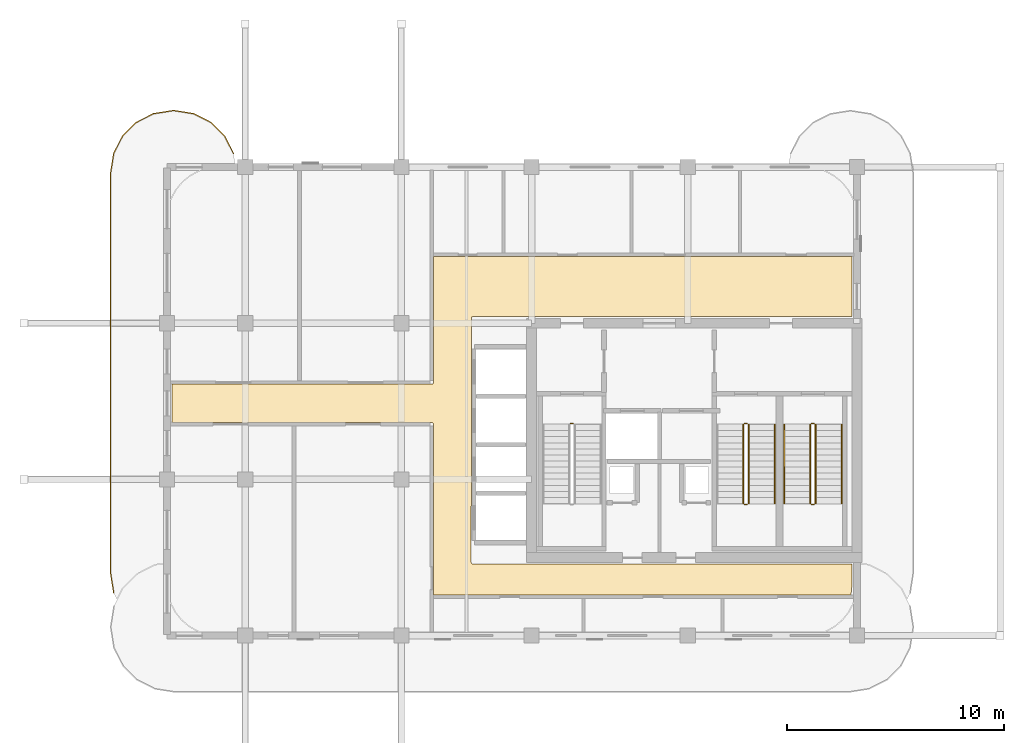
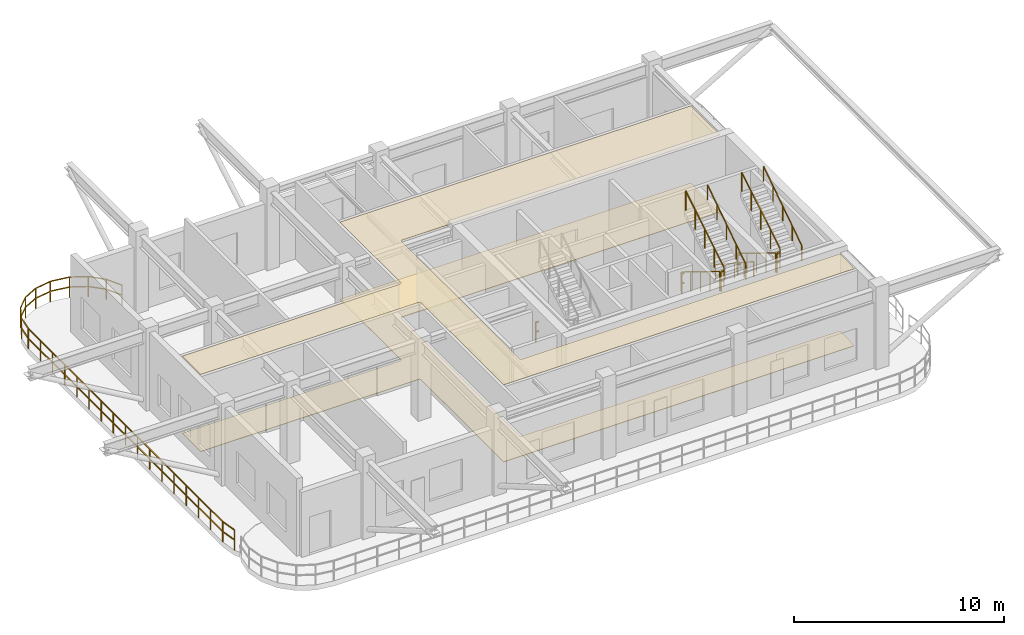
# One storey, part 7 of 8: 13 railings, 2 coverings.
"""IFC4 building model written with IfcOpenShell, lengths in metres."""

from ifc_helpers import new_model, si_unit, derived_unit, direction, frame, origin, origin_2d, place, context, subcontext, project, spatial, polyline, rectangle, outline, extrude, material, layer, layer_set, type_object, element, save


model = new_model("IFC4")

# Units and contexts
model_context = context("Model", 3, precision=1e-05, world=origin(), true_north=direction((0.0, 1.0)))
body_context = subcontext(model_context, "Body", "Model", "MODEL_VIEW")
ifc_project = project(units=[si_unit("LENGTHUNIT", "METRE"), si_unit("AREAUNIT", "SQUARE_METRE"), si_unit("VOLUMEUNIT", "CUBIC_METRE"), si_unit("PLANEANGLEUNIT", "RADIAN"), si_unit("MASSUNIT", "GRAM", prefix="KILO"), si_unit("THERMODYNAMICTEMPERATUREUNIT", "KELVIN"), si_unit("POWERUNIT", "WATT"), derived_unit("THERMALTRANSMITTANCEUNIT", [(si_unit("POWERUNIT", "WATT"), 1), (si_unit("AREAUNIT", "SQUARE_METRE"), -1), (si_unit("THERMODYNAMICTEMPERATUREUNIT", "KELVIN"), -1)])], contexts=[model_context])

# Site, building, storey
site_placement = place(None, origin())
site = spatial("IfcSite", under=ifc_project, at=site_placement, CompositionType="ELEMENT")
building_placement = place(site_placement, origin())
building = spatial("IfcBuilding", under=site, at=building_placement, Name="Zahravan Archway Hotel and Residences", CompositionType="ELEMENT")
storey_placement = place(building_placement, frame((0.0, 0.0, 294.300048828125)))
storey = spatial("IfcBuildingStorey", under=building, at=storey_placement, Name="L74", CompositionType="ELEMENT", Elevation=294.300048828125)

# Coverings
ifc_material_1 = material(Name="Perforated Acoustic Gypsum Ceiling")
ifc_layer_1 = layer(ifc_material_1, 0.02490234375, Name="Perforated Acoustic Gypsum Ceiling")
ifc_layer_set_1 = layer_set([ifc_layer_1], Name="Perforated Acoustic Gypsum Ceiling")
covering_type_1 = type_object("IfcCoveringType", Name="COV-CEIL-ACST", PredefinedType="CEILING", material=ifc_layer_set_1)
covering_1_placement = place(storey_placement, frame((0.0, 0.0, 4.474853515625)))
element("IfcCovering", 1, at=covering_1_placement, inside=storey, type_object=covering_type_1, Name="L74 Acoustic Corridor Ceiling", PredefinedType="CEILING", context=body_context, shape_type="SweptSolid", body=[
    extrude(outline(polyline([(30.215576171875, 11.591552734375), (30.256591796875, 11.61328125), (30.278564453125, 11.654296875), (30.280029296875, 17.469970703125), (49.580078125, 17.469970703125), (49.580078125, 14.705078125), (32.10009765625, 14.705078125), (32.0556640625, 14.69140625), (32.026123046875, 14.655517578125), (32.02001953125, 3.375), (32.033447265625, 3.33056640625), (32.0693359375, 3.301025390625), (49.580078125, 3.294921875), (49.580078125, 2.410888671875), (49.537109375, 1.974853515625), (49.50830078125, 1.8798828125), (30.280029296875, 1.8798828125), (30.280029296875, 9.75), (30.2666015625, 9.79443359375), (30.230712890625, 9.823974609375), (18.219970703125, 9.830078125), (18.219970703125, 11.590087890625), (30.199951171875, 11.590087890625), (30.215576171875, 11.591552734375)])), origin(), (0.0, 0.0, 1.0), 0.025146484375),
])
ifc_material_2 = material(Name="Honed Margalla Limestone & Mortar Bed", Category="masonry")
ifc_layer_2 = layer(ifc_material_2, 0.030029296875, Name="Honed Margalla Limestone & Mortar Bed", Category="masonry")
ifc_layer_set_2 = layer_set([ifc_layer_2], Name="Honed Margalla Limestone & Mortar Bed")
covering_type_2 = type_object("IfcCoveringType", Name="COV-FLR-STONE", PredefinedType="FLOORING", material=ifc_layer_set_2)
covering_2_placement = place(storey_placement, origin())
element("IfcCovering", 2, at=covering_2_placement, inside=storey, type_object=covering_type_2, Name="L74 Circulation Floor Finish", PredefinedType="FLOORING", context=body_context, shape_type="SweptSolid", body=[
    extrude(outline(polyline([(30.215576171875, 11.591552734375), (30.256591796875, 11.61328125), (30.278564453125, 11.654296875), (30.280029296875, 17.469970703125), (49.580078125, 17.469970703125), (49.580078125, 14.705078125), (32.10009765625, 14.705078125), (32.0556640625, 14.69140625), (32.026123046875, 14.655517578125), (32.02001953125, 3.375), (32.033447265625, 3.33056640625), (32.0693359375, 3.301025390625), (49.580078125, 3.294921875), (49.580078125, 2.410888671875), (49.537109375, 1.974853515625), (49.50830078125, 1.8798828125), (30.280029296875, 1.8798828125), (30.280029296875, 9.75), (30.2666015625, 9.79443359375), (30.230712890625, 9.823974609375), (18.219970703125, 9.830078125), (18.219970703125, 11.590087890625), (30.199951171875, 11.590087890625), (30.215576171875, 11.591552734375)])), origin(), (0.0, 0.0, 1.0), 0.030029296875),
])

# Railings
ifc_material_3 = material(Name="Bronze & Laminated Glass Balustrade", Category="glass")
railing_type_1 = type_object("IfcRailingType", Name="RL-BAL-1200", PredefinedType="BALUSTRADE", material=ifc_material_3)
railing_1_placement = place(storey_placement, frame((15.53955078125, 1.96923828125, 0.0)))
element("IfcRailing", 3, at=railing_1_placement, inside=storey, type_object=railing_type_1, Name="L74 Balustrade RL-SLB-BAL-L74-WA-1", PredefinedType="BALUSTRADE", context=body_context, shape_type="SweptSolid", body=[
    extrude(rectangle(XDim=0.048095703125, YDim=0.048095703125, at=origin_2d()), frame((0.0, 0.0, 1.17578125), z_axis=(-0.156581054338, 0.98766511198, 0.0), x_axis=(-0.98766511198, -0.156581054338, 0.0)), (0.0, 0.0, 1.0), 0.891845703125),
    extrude(rectangle(XDim=0.048095703125, YDim=0.048095703125, at=origin_2d()), frame((0.0, 0.0, 0.60009765625), z_axis=(-0.156581054338, 0.98766511198, 0.0), x_axis=(-0.98766511198, -0.156581054338, 0.0)), (0.0, 0.0, 1.0), 0.891845703125),
    extrude(rectangle(XDim=0.048095703125, YDim=0.048095703125, at=origin_2d()), frame((-0.1396484375, 0.880859375, 1.17578125), z_axis=(0.0, 1.0, 0.0), x_axis=(-1.0, 0.0, 0.0)), (0.0, 0.0, 1.0), 18.5),
    extrude(rectangle(XDim=0.048095703125, YDim=0.048095703125, at=origin_2d()), frame((-0.1396484375, 0.880859375, 0.60009765625), z_axis=(0.0, 1.0, 0.0), x_axis=(-1.0, 0.0, 0.0)), (0.0, 0.0, 1.0), 18.5),
    extrude(rectangle(XDim=0.048095703125, YDim=0.048095703125, at=origin_2d()), frame((-0.1396484375, 19.380859375, 1.17578125), z_axis=(0.156623399917, 0.987658397726, 0.0), x_axis=(-0.987658397726, 0.156623399917, 0.0)), (0.0, 0.0, 1.0), 0.8916015625),
    extrude(rectangle(XDim=0.048095703125, YDim=0.048095703125, at=origin_2d()), frame((-0.1396484375, 19.380859375, 0.60009765625), z_axis=(0.156623399917, 0.987658397726, 0.0), x_axis=(-0.987658397726, 0.156623399917, 0.0)), (0.0, 0.0, 1.0), 0.8916015625),
    extrude(rectangle(XDim=0.048095703125, YDim=0.048095703125, at=origin_2d()), frame((0.0, 20.261474609375, 1.17578125), z_axis=(0.453991409995, 0.891006060389, 0.0), x_axis=(-0.891006060389, 0.453991409995, 0.0)), (0.0, 0.0, 1.0), 0.8916015625),
    extrude(rectangle(XDim=0.048095703125, YDim=0.048095703125, at=origin_2d()), frame((0.0, 20.261474609375, 0.60009765625), z_axis=(0.453991409995, 0.891006060389, 0.0), x_axis=(-0.891006060389, 0.453991409995, 0.0)), (0.0, 0.0, 1.0), 0.8916015625),
    extrude(rectangle(XDim=0.048095703125, YDim=0.048095703125, at=origin_2d()), frame((0.40478515625, 21.055908203125, 1.17578125), z_axis=(0.706969864397, 0.70724367147, 0.0), x_axis=(-0.70724367147, 0.706969864397, 0.0)), (0.0, 0.0, 1.0), 0.8916015625),
    extrude(rectangle(XDim=0.048095703125, YDim=0.048095703125, at=origin_2d()), frame((0.40478515625, 21.055908203125, 0.60009765625), z_axis=(0.706969864397, 0.70724367147, 0.0), x_axis=(-0.70724367147, 0.706969864397, 0.0)), (0.0, 0.0, 1.0), 0.8916015625),
    extrude(rectangle(XDim=0.048095703125, YDim=0.048095703125, at=origin_2d()), frame((1.03515625, 21.6865234375, 1.17578125), z_axis=(0.891062476022, 0.45388067135, 0.0), x_axis=(-0.45388067135, 0.891062476022, 0.0)), (0.0, 0.0, 1.0), 0.891845703125),
    extrude(rectangle(XDim=0.048095703125, YDim=0.048095703125, at=origin_2d()), frame((1.03515625, 21.6865234375, 0.60009765625), z_axis=(0.891062476022, 0.45388067135, 0.0), x_axis=(-0.45388067135, 0.891062476022, 0.0)), (0.0, 0.0, 1.0), 0.891845703125),
    extrude(rectangle(XDim=0.048095703125, YDim=0.048095703125, at=origin_2d()), frame((1.829833984375, 22.09130859375, 1.17578125), z_axis=(0.987700720307, 0.156356282588, 0.0), x_axis=(-0.156356282588, 0.987700720307, 0.0)), (0.0, 0.0, 1.0), 0.8916015625),
    extrude(rectangle(XDim=0.048095703125, YDim=0.048095703125, at=origin_2d()), frame((1.829833984375, 22.09130859375, 0.60009765625), z_axis=(0.987700720307, 0.156356282588, 0.0), x_axis=(-0.156356282588, 0.987700720307, 0.0)), (0.0, 0.0, 1.0), 0.8916015625),
    extrude(rectangle(XDim=0.048095703125, YDim=0.048095703125, at=origin_2d()), frame((2.71044921875, 22.230712890625, 1.17578125), z_axis=(1.0, 0.0, 0.0), x_axis=(0.0, 1.0, 0.0)), (0.0, 0.0, 1.0), 0.10009765625),
    extrude(rectangle(XDim=0.048095703125, YDim=0.048095703125, at=origin_2d()), frame((2.71044921875, 22.230712890625, 0.60009765625), z_axis=(1.0, 0.0, 0.0), x_axis=(0.0, 1.0, 0.0)), (0.0, 0.0, 1.0), 0.10009765625),
    extrude(rectangle(XDim=0.048095703125, YDim=0.048095703125, at=origin_2d()), frame((2.810546875, 22.230712890625, 1.17578125), z_axis=(0.987700720307, -0.156356282588, 0.0), x_axis=(0.156356282588, 0.987700720307, 0.0)), (0.0, 0.0, 1.0), 0.8916015625),
    extrude(rectangle(XDim=0.048095703125, YDim=0.048095703125, at=origin_2d()), frame((2.810546875, 22.230712890625, 0.60009765625), z_axis=(0.987700720307, -0.156356282588, 0.0), x_axis=(0.156356282588, 0.987700720307, 0.0)), (0.0, 0.0, 1.0), 0.8916015625),
    extrude(rectangle(XDim=0.048095703125, YDim=0.048095703125, at=origin_2d()), frame((3.691162109375, 22.09130859375, 1.17578125), z_axis=(0.891006060389, -0.453991409995, 0.0), x_axis=(0.453991409995, 0.891006060389, 0.0)), (0.0, 0.0, 1.0), 0.8916015625),
    extrude(rectangle(XDim=0.048095703125, YDim=0.048095703125, at=origin_2d()), frame((3.691162109375, 22.09130859375, 0.60009765625), z_axis=(0.891006060389, -0.453991409995, 0.0), x_axis=(0.453991409995, 0.891006060389, 0.0)), (0.0, 0.0, 1.0), 0.8916015625),
    extrude(rectangle(XDim=0.048095703125, YDim=0.048095703125, at=origin_2d()), frame((4.485595703125, 21.6865234375, 1.17578125), z_axis=(0.707106781187, -0.707106781187, 0.0), x_axis=(0.707106781187, 0.707106781187, 0.0)), (0.0, 0.0, 1.0), 0.891845703125),
    extrude(rectangle(XDim=0.048095703125, YDim=0.048095703125, at=origin_2d()), frame((4.485595703125, 21.6865234375, 0.60009765625), z_axis=(0.707106781187, -0.707106781187, 0.0), x_axis=(0.707106781187, 0.707106781187, 0.0)), (0.0, 0.0, 1.0), 0.891845703125),
    extrude(rectangle(XDim=0.048095703125, YDim=0.048095703125, at=origin_2d()), frame((5.1162109375, 21.055908203125, 1.17578125), z_axis=(0.453991409995, -0.891006060389, 0.0), x_axis=(0.891006060389, 0.453991409995, 0.0)), (0.0, 0.0, 1.0), 0.8916015625),
    extrude(rectangle(XDim=0.048095703125, YDim=0.048095703125, at=origin_2d()), frame((5.1162109375, 21.055908203125, 0.60009765625), z_axis=(0.453991409995, -0.891006060389, 0.0), x_axis=(0.891006060389, 0.453991409995, 0.0)), (0.0, 0.0, 1.0), 0.8916015625),
    extrude(rectangle(XDim=0.0419921875, YDim=0.0419921875, at=origin_2d()), origin(), (0.0, 0.0, 1.0), 1.15185546875),
    extrude(rectangle(XDim=0.0419921875, YDim=0.0419921875, at=origin_2d()), frame((-0.1396484375, 0.880859375, 0.0)), (0.0, 0.0, 1.0), 1.15185546875),
    extrude(rectangle(XDim=0.0419921875, YDim=0.0419921875, at=origin_2d()), frame((-0.1396484375, 2.037109375, 0.0)), (0.0, 0.0, 1.0), 1.15185546875),
    extrude(rectangle(XDim=0.0419921875, YDim=0.0419921875, at=origin_2d()), frame((-0.1396484375, 3.193359375, 0.0)), (0.0, 0.0, 1.0), 1.15185546875),
    extrude(rectangle(XDim=0.0419921875, YDim=0.0419921875, at=origin_2d()), frame((-0.1396484375, 4.349609375, 0.0)), (0.0, 0.0, 1.0), 1.15185546875),
    extrude(rectangle(XDim=0.0419921875, YDim=0.0419921875, at=origin_2d()), frame((-0.1396484375, 5.505859375, 0.0)), (0.0, 0.0, 1.0), 1.15185546875),
    extrude(rectangle(XDim=0.0419921875, YDim=0.0419921875, at=origin_2d()), frame((-0.1396484375, 6.662109375, 0.0)), (0.0, 0.0, 1.0), 1.15185546875),
    extrude(rectangle(XDim=0.0419921875, YDim=0.0419921875, at=origin_2d()), frame((-0.1396484375, 7.818359375, 0.0)), (0.0, 0.0, 1.0), 1.15185546875),
    extrude(rectangle(XDim=0.0419921875, YDim=0.0419921875, at=origin_2d()), frame((-0.1396484375, 8.974609375, 0.0)), (0.0, 0.0, 1.0), 1.15185546875),
    extrude(rectangle(XDim=0.0419921875, YDim=0.0419921875, at=origin_2d()), frame((-0.1396484375, 10.130859375, 0.0)), (0.0, 0.0, 1.0), 1.15185546875),
    extrude(rectangle(XDim=0.0419921875, YDim=0.0419921875, at=origin_2d()), frame((-0.1396484375, 11.287109375, 0.0)), (0.0, 0.0, 1.0), 1.15185546875),
    extrude(rectangle(XDim=0.0419921875, YDim=0.0419921875, at=origin_2d()), frame((-0.1396484375, 12.443359375, 0.0)), (0.0, 0.0, 1.0), 1.15185546875),
    extrude(rectangle(XDim=0.0419921875, YDim=0.0419921875, at=origin_2d()), frame((-0.1396484375, 13.599609375, 0.0)), (0.0, 0.0, 1.0), 1.15185546875),
    extrude(rectangle(XDim=0.0419921875, YDim=0.0419921875, at=origin_2d()), frame((-0.1396484375, 14.755859375, 0.0)), (0.0, 0.0, 1.0), 1.15185546875),
    extrude(rectangle(XDim=0.0419921875, YDim=0.0419921875, at=origin_2d()), frame((-0.1396484375, 15.912109375, 0.0)), (0.0, 0.0, 1.0), 1.15185546875),
    extrude(rectangle(XDim=0.0419921875, YDim=0.0419921875, at=origin_2d()), frame((-0.1396484375, 17.068359375, 0.0)), (0.0, 0.0, 1.0), 1.15185546875),
    extrude(rectangle(XDim=0.0419921875, YDim=0.0419921875, at=origin_2d()), frame((-0.1396484375, 18.224609375, 0.0)), (0.0, 0.0, 1.0), 1.15185546875),
    extrude(rectangle(XDim=0.0419921875, YDim=0.0419921875, at=origin_2d()), frame((-0.1396484375, 19.380859375, 0.0)), (0.0, 0.0, 1.0), 1.15185546875),
    extrude(rectangle(XDim=0.0419921875, YDim=0.0419921875, at=origin_2d()), frame((0.0, 20.261474609375, 0.0)), (0.0, 0.0, 1.0), 1.15185546875),
    extrude(rectangle(XDim=0.0419921875, YDim=0.0419921875, at=origin_2d()), frame((0.40478515625, 21.055908203125, 0.0)), (0.0, 0.0, 1.0), 1.15185546875),
    extrude(rectangle(XDim=0.0419921875, YDim=0.0419921875, at=origin_2d()), frame((1.03515625, 21.6865234375, 0.0)), (0.0, 0.0, 1.0), 1.15185546875),
    extrude(rectangle(XDim=0.0419921875, YDim=0.0419921875, at=origin_2d()), frame((1.829833984375, 22.09130859375, 0.0)), (0.0, 0.0, 1.0), 1.15185546875),
    extrude(rectangle(XDim=0.0419921875, YDim=0.0419921875, at=origin_2d()), frame((2.71044921875, 22.230712890625, 0.0)), (0.0, 0.0, 1.0), 1.15185546875),
    extrude(rectangle(XDim=0.0419921875, YDim=0.0419921875, at=origin_2d()), frame((3.691162109375, 22.09130859375, 0.0)), (0.0, 0.0, 1.0), 1.15185546875),
    extrude(rectangle(XDim=0.0419921875, YDim=0.0419921875, at=origin_2d()), frame((4.485595703125, 21.6865234375, 0.0)), (0.0, 0.0, 1.0), 1.15185546875),
    extrude(rectangle(XDim=0.0419921875, YDim=0.0419921875, at=origin_2d()), frame((5.1162109375, 21.055908203125, 0.0)), (0.0, 0.0, 1.0), 1.15185546875),
    extrude(rectangle(XDim=0.0419921875, YDim=0.0419921875, at=origin_2d()), frame((5.52099609375, 20.261474609375, 0.0)), (0.0, 0.0, 1.0), 1.15185546875),
])
ifc_material_4 = material(Name="Painted Tubular Steel", Category="steel")
railing_type_2 = type_object("IfcRailingType", Name="RL-STG-1150", PredefinedType="GUARDRAIL", material=ifc_material_4)
railing_2_placement = place(storey_placement, frame((36.60009765625, 9.780029296875, 0.0)))
element("IfcRailing", 4, at=railing_2_placement, inside=storey, type_object=railing_type_2, Name="L74 ST-A1 stair guard 4", PredefinedType="GUARDRAIL", context=body_context, shape_type="SweptSolid", body=[
    extrude(rectangle(XDim=0.048095703125, YDim=0.048095703125, at=origin_2d()), frame((0.0, 0.0, 1.1259765625), z_axis=(1.0, 0.0, 0.0), x_axis=(0.0, 1.0, 0.0)), (0.0, 0.0, 1.0), 0.139892578125),
    extrude(rectangle(XDim=0.048095703125, YDim=0.048095703125, at=origin_2d()), frame((0.0, 0.0, 0.574951171875), z_axis=(1.0, 0.0, 0.0), x_axis=(0.0, 1.0, 0.0)), (0.0, 0.0, 1.0), 0.139892578125),
    extrude(rectangle(XDim=0.0419921875, YDim=0.0419921875, at=origin_2d()), origin(), (0.0, 0.0, 1.0), 1.101806640625),
])
railing_3_placement = place(storey_placement, frame((44.570068359375, 9.72998046875, 0.17138671875)))
element("IfcRailing", 5, at=railing_3_placement, inside=storey, type_object=railing_type_2, Name="L74 ST-A2 stair guard 1", PredefinedType="GUARDRAIL", context=body_context, shape_type="SweptSolid", body=[
    extrude(rectangle(XDim=0.048095703125, YDim=0.048095703125, at=origin_2d()), frame((0.0, 0.0, 1.1259765625), z_axis=(0.0, -0.852850264322, 0.5221555579), x_axis=(1.0, 0.0, 0.0)), (0.0, 0.0, 1.0), 4.267822265625),
    extrude(rectangle(XDim=0.0419921875, YDim=0.0419921875, at=origin_2d()), origin(), (0.0, 0.0, 1.0), 1.101806640625),
    extrude(rectangle(XDim=0.0419921875, YDim=0.0419921875, at=origin_2d()), frame((0.0, -0.909912109375, 0.55712890625)), (0.0, 0.0, 1.0), 1.101806640625),
    extrude(rectangle(XDim=0.0419921875, YDim=0.0419921875, at=origin_2d()), frame((0.0, -1.81982421875, 1.1142578125)), (0.0, 0.0, 1.0), 1.101806640625),
    extrude(rectangle(XDim=0.0419921875, YDim=0.0419921875, at=origin_2d()), frame((0.0, -2.72998046875, 1.67138671875)), (0.0, 0.0, 1.0), 1.101806640625),
    extrude(rectangle(XDim=0.0419921875, YDim=0.0419921875, at=origin_2d()), frame((0.0, -3.639892578125, 2.228515625)), (0.0, 0.0, 1.0), 1.101806640625),
])
railing_4_placement = place(storey_placement, frame((44.6201171875, 6.0400390625, 2.39990234375)))
element("IfcRailing", 6, at=railing_4_placement, inside=storey, type_object=railing_type_2, Name="L74 ST-A2 stair guard 2", PredefinedType="GUARDRAIL", context=body_context, shape_type="SweptSolid", body=[
    extrude(rectangle(XDim=0.048095703125, YDim=0.048095703125, at=origin_2d()), frame((0.0, 0.0, 1.1259765625), z_axis=(1.0, 0.0, 0.0), x_axis=(0.0, 1.0, 0.0)), (0.0, 0.0, 1.0), 0.139892578125),
    extrude(rectangle(XDim=0.048095703125, YDim=0.048095703125, at=origin_2d()), frame((0.0, 0.0, 0.574951171875), z_axis=(1.0, 0.0, 0.0), x_axis=(0.0, 1.0, 0.0)), (0.0, 0.0, 1.0), 0.139892578125),
    extrude(rectangle(XDim=0.0419921875, YDim=0.0419921875, at=origin_2d()), origin(), (0.0, 0.0, 1.0), 1.101806640625),
])
railing_5_placement = place(storey_placement, frame((44.81005859375, 6.090087890625, 2.5712890625)))
element("IfcRailing", 7, at=railing_5_placement, inside=storey, type_object=railing_type_2, Name="L74 ST-A2 stair guard 3", PredefinedType="GUARDRAIL", context=body_context, shape_type="SweptSolid", body=[
    extrude(rectangle(XDim=0.048095703125, YDim=0.048095703125, at=origin_2d()), frame((0.0, 0.0, 1.1259765625), z_axis=(0.0, 0.852824790078, 0.522197163366), x_axis=(-1.0, 0.0, 0.0)), (0.0, 0.0, 1.0), 4.26806640625),
    extrude(rectangle(XDim=0.0419921875, YDim=0.0419921875, at=origin_2d()), origin(), (0.0, 0.0, 1.0), 1.101806640625),
    extrude(rectangle(XDim=0.0419921875, YDim=0.0419921875, at=origin_2d()), frame((0.0, 0.909912109375, 0.55712890625)), (0.0, 0.0, 1.0), 1.101806640625),
    extrude(rectangle(XDim=0.0419921875, YDim=0.0419921875, at=origin_2d()), frame((0.0, 1.81982421875, 1.1142578125)), (0.0, 0.0, 1.0), 1.101806640625),
    extrude(rectangle(XDim=0.0419921875, YDim=0.0419921875, at=origin_2d()), frame((0.0, 2.72998046875, 1.671630859375)), (0.0, 0.0, 1.0), 1.101806640625),
    extrude(rectangle(XDim=0.0419921875, YDim=0.0419921875, at=origin_2d()), frame((0.0, 3.639892578125, 2.228759765625)), (0.0, 0.0, 1.0), 1.101806640625),
])
railing_6_placement = place(storey_placement, frame((44.6201171875, 9.780029296875, 0.0)))
element("IfcRailing", 8, at=railing_6_placement, inside=storey, type_object=railing_type_2, Name="L74 ST-A2 stair guard 4", PredefinedType="GUARDRAIL", context=body_context, shape_type="SweptSolid", body=[
    extrude(rectangle(XDim=0.048095703125, YDim=0.048095703125, at=origin_2d()), frame((0.0, 0.0, 1.1259765625), z_axis=(1.0, 0.0, 0.0), x_axis=(0.0, 1.0, 0.0)), (0.0, 0.0, 1.0), 0.139892578125),
    extrude(rectangle(XDim=0.048095703125, YDim=0.048095703125, at=origin_2d()), frame((0.0, 0.0, 0.574951171875), z_axis=(1.0, 0.0, 0.0), x_axis=(0.0, 1.0, 0.0)), (0.0, 0.0, 1.0), 0.139892578125),
    extrude(rectangle(XDim=0.0419921875, YDim=0.0419921875, at=origin_2d()), origin(), (0.0, 0.0, 1.0), 1.101806640625),
])
railing_7_placement = place(storey_placement, frame((47.64990234375, 9.72998046875, 0.17138671875)))
element("IfcRailing", 9, at=railing_7_placement, inside=storey, type_object=railing_type_2, Name="L74 ST-A3 stair guard 1", PredefinedType="GUARDRAIL", context=body_context, shape_type="SweptSolid", body=[
    extrude(rectangle(XDim=0.048095703125, YDim=0.048095703125, at=origin_2d()), frame((0.0, 0.0, 1.1259765625), z_axis=(0.0, -0.852850264322, 0.5221555579), x_axis=(1.0, 0.0, 0.0)), (0.0, 0.0, 1.0), 4.267822265625),
    extrude(rectangle(XDim=0.0419921875, YDim=0.0419921875, at=origin_2d()), origin(), (0.0, 0.0, 1.0), 1.101806640625),
    extrude(rectangle(XDim=0.0419921875, YDim=0.0419921875, at=origin_2d()), frame((0.0, -0.909912109375, 0.55712890625)), (0.0, 0.0, 1.0), 1.101806640625),
    extrude(rectangle(XDim=0.0419921875, YDim=0.0419921875, at=origin_2d()), frame((0.0, -1.81982421875, 1.1142578125)), (0.0, 0.0, 1.0), 1.101806640625),
    extrude(rectangle(XDim=0.0419921875, YDim=0.0419921875, at=origin_2d()), frame((0.0, -2.72998046875, 1.67138671875)), (0.0, 0.0, 1.0), 1.101806640625),
    extrude(rectangle(XDim=0.0419921875, YDim=0.0419921875, at=origin_2d()), frame((0.0, -3.639892578125, 2.228515625)), (0.0, 0.0, 1.0), 1.101806640625),
])
railing_8_placement = place(storey_placement, frame((47.699951171875, 6.0400390625, 2.39990234375)))
element("IfcRailing", 10, at=railing_8_placement, inside=storey, type_object=railing_type_2, Name="L74 ST-A3 stair guard 2", PredefinedType="GUARDRAIL", context=body_context, shape_type="SweptSolid", body=[
    extrude(rectangle(XDim=0.048095703125, YDim=0.048095703125, at=origin_2d()), frame((0.0, 0.0, 1.1259765625), z_axis=(1.0, 0.0, 0.0), x_axis=(0.0, 1.0, 0.0)), (0.0, 0.0, 1.0), 0.14013671875),
    extrude(rectangle(XDim=0.048095703125, YDim=0.048095703125, at=origin_2d()), frame((0.0, 0.0, 0.574951171875), z_axis=(1.0, 0.0, 0.0), x_axis=(0.0, 1.0, 0.0)), (0.0, 0.0, 1.0), 0.14013671875),
    extrude(rectangle(XDim=0.0419921875, YDim=0.0419921875, at=origin_2d()), origin(), (0.0, 0.0, 1.0), 1.101806640625),
])
railing_9_placement = place(storey_placement, frame((47.889892578125, 6.090087890625, 2.5712890625)))
element("IfcRailing", 11, at=railing_9_placement, inside=storey, type_object=railing_type_2, Name="L74 ST-A3 stair guard 3", PredefinedType="GUARDRAIL", context=body_context, shape_type="SweptSolid", body=[
    extrude(rectangle(XDim=0.048095703125, YDim=0.048095703125, at=origin_2d()), frame((0.0, 0.0, 1.1259765625), z_axis=(0.0, 0.852824790078, 0.522197163366), x_axis=(-1.0, 0.0, 0.0)), (0.0, 0.0, 1.0), 4.26806640625),
    extrude(rectangle(XDim=0.0419921875, YDim=0.0419921875, at=origin_2d()), origin(), (0.0, 0.0, 1.0), 1.101806640625),
    extrude(rectangle(XDim=0.0419921875, YDim=0.0419921875, at=origin_2d()), frame((0.0, 0.909912109375, 0.55712890625)), (0.0, 0.0, 1.0), 1.101806640625),
    extrude(rectangle(XDim=0.0419921875, YDim=0.0419921875, at=origin_2d()), frame((0.0, 1.81982421875, 1.1142578125)), (0.0, 0.0, 1.0), 1.101806640625),
    extrude(rectangle(XDim=0.0419921875, YDim=0.0419921875, at=origin_2d()), frame((0.0, 2.72998046875, 1.671630859375)), (0.0, 0.0, 1.0), 1.101806640625),
    extrude(rectangle(XDim=0.0419921875, YDim=0.0419921875, at=origin_2d()), frame((0.0, 3.639892578125, 2.228759765625)), (0.0, 0.0, 1.0), 1.101806640625),
])
railing_10_placement = place(storey_placement, frame((47.699951171875, 9.780029296875, 0.0)))
element("IfcRailing", 12, at=railing_10_placement, inside=storey, type_object=railing_type_2, Name="L74 ST-A3 stair guard 4", PredefinedType="GUARDRAIL", context=body_context, shape_type="SweptSolid", body=[
    extrude(rectangle(XDim=0.048095703125, YDim=0.048095703125, at=origin_2d()), frame((0.0, 0.0, 1.1259765625), z_axis=(1.0, 0.0, 0.0), x_axis=(0.0, 1.0, 0.0)), (0.0, 0.0, 1.0), 0.14013671875),
    extrude(rectangle(XDim=0.048095703125, YDim=0.048095703125, at=origin_2d()), frame((0.0, 0.0, 0.574951171875), z_axis=(1.0, 0.0, 0.0), x_axis=(0.0, 1.0, 0.0)), (0.0, 0.0, 1.0), 0.14013671875),
    extrude(rectangle(XDim=0.0419921875, YDim=0.0419921875, at=origin_2d()), origin(), (0.0, 0.0, 1.0), 1.101806640625),
])
ifc_material_5 = material(Name="Brushed Stainless Steel", Category="steel")
railing_type_3 = type_object("IfcRailingType", Name="RL-STH-900", PredefinedType="HANDRAIL", material=ifc_material_5)
railing_11_placement = place(storey_placement, frame((46.010009765625, 6.090087890625, 2.5712890625)))
element("IfcRailing", 13, at=railing_11_placement, inside=storey, type_object=railing_type_3, Name="L74 ST-A2 stair handrail 2", PredefinedType="HANDRAIL", context=body_context, shape_type="SweptSolid", body=[
    extrude(rectangle(XDim=0.048095703125, YDim=0.048095703125, at=origin_2d()), frame((0.0, 0.0, 0.8759765625), z_axis=(0.0, 0.834839479206, 0.550493454965), x_axis=(-1.0, 0.0, 0.0)), (0.0, 0.0, 1.0), 4.360107421875),
    extrude(rectangle(XDim=0.0419921875, YDim=0.0419921875, at=origin_2d()), origin(), (0.0, 0.0, 1.0), 0.851806640625),
    extrude(rectangle(XDim=0.0419921875, YDim=0.0419921875, at=origin_2d()), frame((0.0, 0.909912109375, 0.60009765625)), (0.0, 0.0, 1.0), 0.851806640625),
    extrude(rectangle(XDim=0.0419921875, YDim=0.0419921875, at=origin_2d()), frame((0.0, 1.81982421875, 1.2001953125)), (0.0, 0.0, 1.0), 0.851806640625),
    extrude(rectangle(XDim=0.0419921875, YDim=0.0419921875, at=origin_2d()), frame((0.0, 2.72998046875, 1.800048828125)), (0.0, 0.0, 1.0), 0.851806640625),
    extrude(rectangle(XDim=0.0419921875, YDim=0.0419921875, at=origin_2d()), frame((0.0, 3.639892578125, 2.400146484375)), (0.0, 0.0, 1.0), 0.851806640625),
])
railing_12_placement = place(storey_placement, frame((46.449951171875, 9.72998046875, 0.17138671875)))
element("IfcRailing", 14, at=railing_12_placement, inside=storey, type_object=railing_type_3, Name="L74 ST-A3 stair handrail 1", PredefinedType="HANDRAIL", context=body_context, shape_type="SweptSolid", body=[
    extrude(rectangle(XDim=0.048095703125, YDim=0.048095703125, at=origin_2d()), frame((0.0, 0.0, 0.8759765625), z_axis=(0.0, -0.834865213223, 0.550454426587), x_axis=(1.0, 0.0, 0.0)), (0.0, 0.0, 1.0), 4.35986328125),
    extrude(rectangle(XDim=0.0419921875, YDim=0.0419921875, at=origin_2d()), origin(), (0.0, 0.0, 1.0), 0.851806640625),
    extrude(rectangle(XDim=0.0419921875, YDim=0.0419921875, at=origin_2d()), frame((0.0, -0.909912109375, 0.60009765625)), (0.0, 0.0, 1.0), 0.851806640625),
    extrude(rectangle(XDim=0.0419921875, YDim=0.0419921875, at=origin_2d()), frame((0.0, -1.81982421875, 1.199951171875)), (0.0, 0.0, 1.0), 0.851806640625),
    extrude(rectangle(XDim=0.0419921875, YDim=0.0419921875, at=origin_2d()), frame((0.0, -2.72998046875, 1.7998046875)), (0.0, 0.0, 1.0), 0.851806640625),
    extrude(rectangle(XDim=0.0419921875, YDim=0.0419921875, at=origin_2d()), frame((0.0, -3.639892578125, 2.39990234375)), (0.0, 0.0, 1.0), 0.851806640625),
])
railing_13_placement = place(storey_placement, frame((49.090087890625, 6.090087890625, 2.5712890625)))
element("IfcRailing", 15, at=railing_13_placement, inside=storey, type_object=railing_type_3, Name="L74 ST-A3 stair handrail 2", PredefinedType="HANDRAIL", context=body_context, shape_type="SweptSolid", body=[
    extrude(rectangle(XDim=0.048095703125, YDim=0.048095703125, at=origin_2d()), frame((0.0, 0.0, 0.8759765625), z_axis=(0.0, 0.834839479206, 0.550493454965), x_axis=(-1.0, 0.0, 0.0)), (0.0, 0.0, 1.0), 4.360107421875),
    extrude(rectangle(XDim=0.0419921875, YDim=0.0419921875, at=origin_2d()), origin(), (0.0, 0.0, 1.0), 0.851806640625),
    extrude(rectangle(XDim=0.0419921875, YDim=0.0419921875, at=origin_2d()), frame((0.0, 0.909912109375, 0.60009765625)), (0.0, 0.0, 1.0), 0.851806640625),
    extrude(rectangle(XDim=0.0419921875, YDim=0.0419921875, at=origin_2d()), frame((0.0, 1.81982421875, 1.2001953125)), (0.0, 0.0, 1.0), 0.851806640625),
    extrude(rectangle(XDim=0.0419921875, YDim=0.0419921875, at=origin_2d()), frame((0.0, 2.72998046875, 1.800048828125)), (0.0, 0.0, 1.0), 0.851806640625),
    extrude(rectangle(XDim=0.0419921875, YDim=0.0419921875, at=origin_2d()), frame((0.0, 3.639892578125, 2.400146484375)), (0.0, 0.0, 1.0), 0.851806640625),
])

save(model, "model.ifc")
